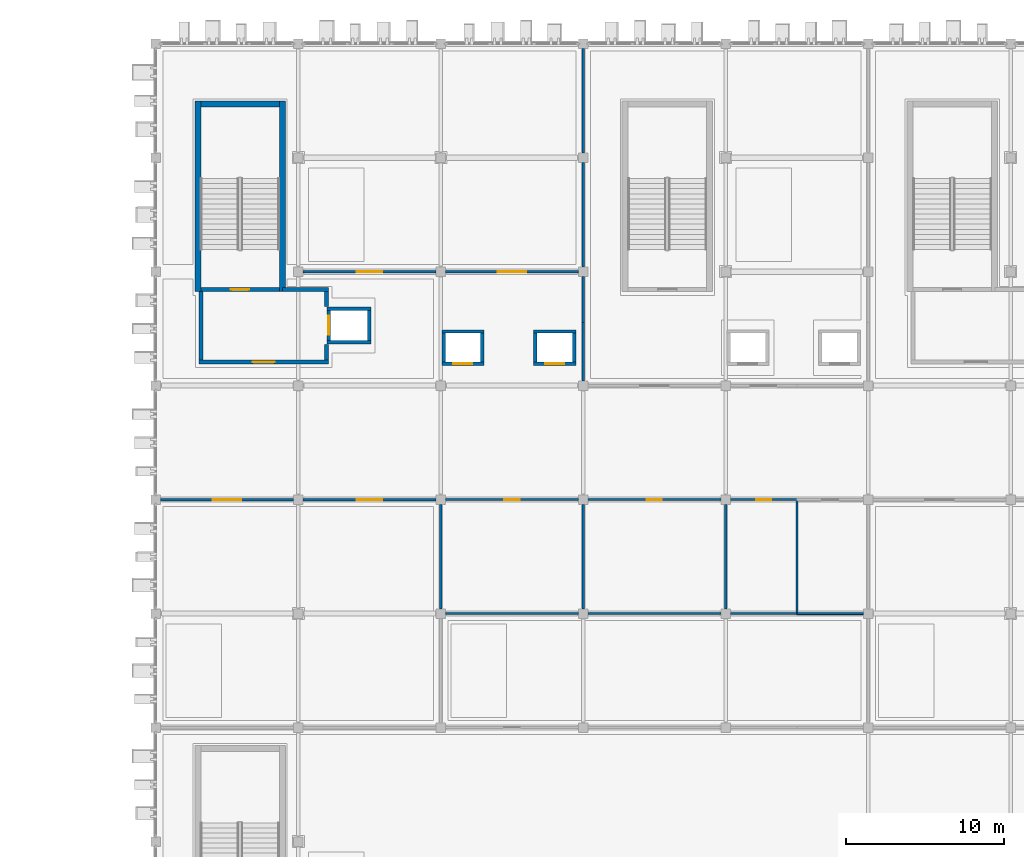
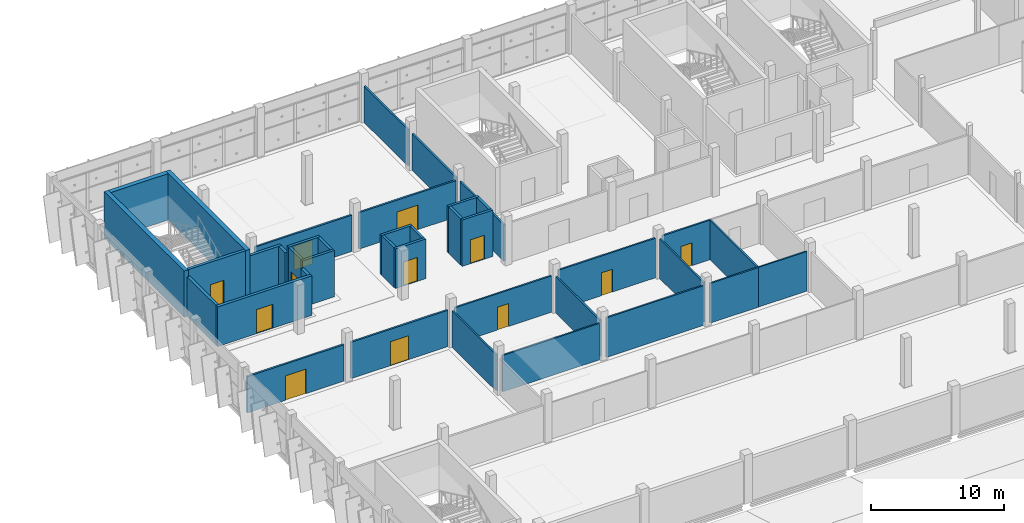
# One storey, part 104 of 124: 40 walls, 12 doors, 12 openings.
"""IFC4 building model written with IfcOpenShell, lengths in metres."""

from ifc_helpers import new_model, si_unit, direction, frame, frame_2d, origin, place, context, subcontext, project, spatial, rectangle, extrude, material, layer, layer_set, type_object, element, fill, save


model = new_model("IFC4")

# Units and contexts
model_context = context("Model", 3, precision=1e-05, world=origin(), true_north=direction((0.0, 1.0)))
body_context = subcontext(model_context, "Body", "Model", "MODEL_VIEW")
ifc_project = project(units=[si_unit("LENGTHUNIT", "METRE"), si_unit("AREAUNIT", "SQUARE_METRE"), si_unit("VOLUMEUNIT", "CUBIC_METRE"), si_unit("PLANEANGLEUNIT", "RADIAN"), si_unit("MASSUNIT", "GRAM", prefix="KILO")], contexts=[model_context])

# Site, building, storey
site_placement = place(None, origin())
site = spatial("IfcSite", under=ifc_project, at=site_placement, CompositionType="ELEMENT")
building_placement = place(site_placement, origin())
building = spatial("IfcBuilding", under=site, at=building_placement, Name="Celestram Park Convention Centre", CompositionType="ELEMENT")
storey_placement = place(building_placement, frame((0.0, 0.0, 15.300048828125)))
storey = spatial("IfcBuildingStorey", under=building, at=storey_placement, Name="L03", CompositionType="ELEMENT", Elevation=15.300048828125)

# Wall, opening, door
ifc_material_1 = material(Name="Concrete Block Masonry C25/30", Category="masonry")
ifc_layer_1 = layer(ifc_material_1, 0.25)
ifc_layer_set_1 = layer_set([ifc_layer_1], Name="Concrete Block Masonry C25/30")
wall_type_1 = type_object("IfcWallType", Name="ARC-WL-COR250", PredefinedType="STANDARD", material=ifc_layer_set_1)
wall_1_placement = place(storey_placement, frame((38.840087890625, 150.074951171875, 0.0), z_axis=(0.0, 0.0, 1.0), x_axis=(1.0, 0.0, 0.0)))
wall_1 = element("IfcWall", 1, at=wall_1_placement, inside=storey, type_object=wall_type_1, Name="Core C1 stair entrance wall", PredefinedType="STANDARD", context=body_context, shape_type="SweptSolid", body=[
    extrude(rectangle(XDim=4.9599609375, YDim=0.25, at=frame_2d((2.47998046875, 0.0))), origin(), (0.0, 0.0, 1.0), 4.25),
])
opening_1_placement = place(wall_1_placement, frame((1.905029296875, 0.0, 0.0)))
opening_1 = element("IfcOpeningElement", 2, at=opening_1_placement, cuts=wall_1, Name="Opening D-ST1", PredefinedType="OPENING", context=body_context, shape_type="SweptSolid", body=[
    extrude(rectangle(XDim=1.14990234375, YDim=2.199951171875, at=frame_2d((0.574951171875, 1.10009765625))), frame((0.0, 0.135009765625, 0.0), z_axis=(0.0, -1.0, 0.0), x_axis=(1.0, 0.0, 0.0)), (0.0, 0.0, 1.0), 0.27001953125),
])
ifc_material_2 = material(Name="Fire-Rated Hollow Metal Steel ASTM A653", Category="steel")
door_type_1 = type_object("IfcDoorType", Name="ARC-DR-ST115", OperationType="NOTDEFINED", PredefinedType="DOOR", material=ifc_material_2)
door_1_placement = place(opening_1_placement, origin())
door_1 = element("IfcDoor", 3, at=door_1_placement, inside=storey, type_object=door_type_1, Name="Exit stair ST-01 fire door", OperationType="SINGLE_SWING_LEFT", OverallHeight=2.199951171875, OverallWidth=1.14990234375, PredefinedType="DOOR", context=body_context, shape_type="SweptSolid", body=[
    extrude(rectangle(XDim=1.14990234375, YDim=2.199951171875, at=frame_2d((0.574951171875, 1.10009765625))), frame((0.0, 0.02490234375, 0.0), z_axis=(0.0, -1.0, 0.0), x_axis=(1.0, 0.0, 0.0)), (0.0, 0.0, 1.0), 0.050048828125),
])
fill(opening_1, door_1)

# Wall
wall_2_placement = place(storey_placement, frame((38.840087890625, 149.93994140625, 0.0), z_axis=(0.0, 0.0, 1.0), x_axis=(0.0, -1.0, 0.0)))
element("IfcWall", 4, at=wall_2_placement, inside=storey, type_object=wall_type_1, Name="Firefighting Lift Lobby C1 W wall", PredefinedType="STANDARD", context=body_context, shape_type="SweptSolid", body=[
    extrude(rectangle(XDim=4.31494140625, YDim=0.25, at=frame_2d((2.157470703125, 0.0))), origin(), (0.0, 0.0, 1.0), 3.637939453125),
])

# Wall, opening, door
wall_3_placement = place(storey_placement, frame((38.715087890625, 145.5, 0.0), z_axis=(0.0, 0.0, 1.0), x_axis=(1.0, 0.0, 0.0)))
wall_3 = element("IfcWall", 5, at=wall_3_placement, inside=storey, type_object=wall_type_1, Name="Firefighting Lift Lobby C1 S wall", PredefinedType="STANDARD", context=body_context, shape_type="SweptSolid", body=[
    extrude(rectangle(XDim=8.18994140625, YDim=0.25, at=frame_2d((4.094970703125, 0.0))), origin(), (0.0, 0.0, 1.0), 3.637939453125),
])
opening_2_placement = place(wall_3_placement, frame((3.39501953125, 0.0, 0.0)))
opening_2 = element("IfcOpeningElement", 6, at=opening_2_placement, cuts=wall_3, Name="Opening D-LB1", PredefinedType="OPENING", context=body_context, shape_type="SweptSolid", body=[
    extrude(rectangle(XDim=1.39990234375, YDim=2.199951171875, at=frame_2d((0.699951171875, 1.10009765625))), frame((0.0, 0.135009765625, 0.0), z_axis=(0.0, -1.0, 0.0), x_axis=(1.0, 0.0, 0.0)), (0.0, 0.0, 1.0), 0.27001953125),
])
ifc_material_3 = material(Name="Fire-Rated Glazed Steel Frame", Category="steel")
door_type_2 = type_object("IfcDoorType", Name="ARC-DR-LB140", OperationType="NOTDEFINED", PredefinedType="DOOR", material=ifc_material_3)
door_2_placement = place(opening_2_placement, origin())
door_2 = element("IfcDoor", 7, at=door_2_placement, inside=storey, type_object=door_type_2, Name="Firefighting Lift Lobby C1 fire door", OperationType="SINGLE_SWING_RIGHT", OverallHeight=2.199951171875, OverallWidth=1.39990234375, PredefinedType="DOOR", context=body_context, shape_type="SweptSolid", body=[
    extrude(rectangle(XDim=1.39990234375, YDim=2.199951171875, at=frame_2d((0.699951171875, 1.10009765625))), frame((0.0, 0.02490234375, 0.0), z_axis=(0.0, -1.0, 0.0), x_axis=(1.0, 0.0, 0.0)), (0.0, 0.0, 1.0), 0.050048828125),
])
fill(opening_2, door_2)

# Walls
wall_4_placement = place(storey_placement, frame((46.780029296875, 145.625, 0.0), z_axis=(0.0, 0.0, 1.0), x_axis=(0.0, 1.0, 0.0)))
element("IfcWall", 8, at=wall_4_placement, inside=storey, type_object=wall_type_1, Name="Firefighting Lift Lobby C1 ES wall", PredefinedType="STANDARD", context=body_context, shape_type="SweptSolid", body=[
    extrude(rectangle(XDim=0.97509765625, YDim=0.25, at=frame_2d((0.487548828125, 0.0))), origin(), (0.0, 0.0, 1.0), 3.637939453125),
])
wall_5_placement = place(storey_placement, frame((46.780029296875, 149.0, 0.0), z_axis=(0.0, 0.0, 1.0), x_axis=(0.0, 1.0, 0.0)))
element("IfcWall", 9, at=wall_5_placement, inside=storey, type_object=wall_type_1, Name="Firefighting Lift Lobby C1 EN wall", PredefinedType="STANDARD", context=body_context, shape_type="SweptSolid", body=[
    extrude(rectangle(XDim=0.949951171875, YDim=0.25, at=frame_2d((0.47509765625, 0.0))), origin(), (0.0, 0.0, 1.0), 3.637939453125),
])
wall_6_placement = place(storey_placement, frame((44.0, 150.074951171875, 0.0), z_axis=(0.0, 0.0, 1.0), x_axis=(1.0, 0.0, 0.0)))
element("IfcWall", 10, at=wall_6_placement, inside=storey, type_object=wall_type_1, Name="Firefighting Lift Lobby C1 N wall", PredefinedType="STANDARD", context=body_context, shape_type="SweptSolid", body=[
    extrude(rectangle(XDim=2.905029296875, YDim=0.25, at=frame_2d((1.45263671875, 0.0))), origin(), (0.0, 0.0, 1.0), 3.637939453125),
])
ifc_material_4 = material(Name="Standard Gypsum & Steel Stud 120 mm", Category="steel")
ifc_layer_2 = layer(ifc_material_4, 0.1201171875)
ifc_layer_set_2 = layer_set([ifc_layer_2], Name="Standard Gypsum & Steel Stud 120 mm")
wall_type_2 = type_object("IfcWallType", Name="ARC-WL-PRT120", PredefinedType="PARTITIONING", material=ifc_layer_set_2)
wall_7_placement = place(storey_placement, frame((76.5, 129.60009765625, 0.0), z_axis=(0.0, 0.0, 1.0), x_axis=(1.0, 0.0, 0.0)))
element("IfcWall", 11, at=wall_7_placement, inside=storey, type_object=wall_type_2, Name="Interior partition WL-L03-IN0895", PredefinedType="PARTITIONING", context=body_context, shape_type="SweptSolid", body=[
    extrude(rectangle(XDim=4.201904296875, YDim=0.1201171875, at=frame_2d((2.10107421875, 0.0))), origin(), (0.0, 0.0, 1.0), 3.637939453125),
])
ifc_material_5 = material(Name="Moisture-Resistant Gypsum Partition 140 mm", Category="gypsum")
ifc_layer_3 = layer(ifc_material_5, 0.139892578125)
ifc_layer_set_3 = layer_set([ifc_layer_3], Name="Moisture-Resistant Gypsum Partition 140 mm")
wall_type_3 = type_object("IfcWallType", Name="ARC-WL-PRT140", PredefinedType="PARTITIONING", material=ifc_layer_set_3)
wall_8_placement = place(storey_placement, frame((54.298095703125, 129.60009765625, 0.0), z_axis=(0.0, 0.0, 1.0), x_axis=(1.0, 0.0, 0.0)))
element("IfcWall", 12, at=wall_8_placement, inside=storey, type_object=wall_type_3, Name="Interior partition WL-L03-IN0892", PredefinedType="PARTITIONING", context=body_context, shape_type="SweptSolid", body=[
    extrude(rectangle(XDim=8.40380859375, YDim=0.139892578125, at=frame_2d((4.201904296875, 0.0))), origin(), (0.0, 0.0, 1.0), 3.3359375),
])
wall_9_placement = place(storey_placement, frame((63.298095703125, 129.60009765625, 0.0), z_axis=(0.0, 0.0, 1.0), x_axis=(1.0, 0.0, 0.0)))
element("IfcWall", 13, at=wall_9_placement, inside=storey, type_object=wall_type_3, Name="Interior partition WL-L03-IN0893", PredefinedType="PARTITIONING", context=body_context, shape_type="SweptSolid", body=[
    extrude(rectangle(XDim=8.40380859375, YDim=0.139892578125, at=frame_2d((4.201904296875, 0.0))), origin(), (0.0, 0.0, 1.0), 3.637939453125),
])
wall_10_placement = place(storey_placement, frame((72.298095703125, 129.60009765625, 0.0), z_axis=(0.0, 0.0, 1.0), x_axis=(1.0, 0.0, 0.0)))
element("IfcWall", 14, at=wall_10_placement, inside=storey, type_object=wall_type_3, Name="Interior partition WL-L03-IN0894", PredefinedType="PARTITIONING", context=body_context, shape_type="SweptSolid", body=[
    extrude(rectangle(XDim=4.201904296875, YDim=0.139892578125, at=frame_2d((2.10107421875, 0.0))), origin(), (0.0, 0.0, 1.0), 3.637939453125),
])

# Wall, opening, door
wall_11_placement = place(storey_placement, frame((54.298095703125, 136.800048828125, 0.0), z_axis=(0.0, 0.0, 1.0), x_axis=(1.0, 0.0, 0.0)))
wall_11 = element("IfcWall", 15, at=wall_11_placement, inside=storey, type_object=wall_type_3, Name="Interior partition WL-L03-IN0898", PredefinedType="PARTITIONING", context=body_context, shape_type="SweptSolid", body=[
    extrude(rectangle(XDim=8.40380859375, YDim=0.139892578125, at=frame_2d((4.201904296875, 0.0))), origin(), (0.0, 0.0, 1.0), 3.3359375),
])
opening_3_placement = place(wall_11_placement, frame((3.72705078125, 0.0, 0.0)))
opening_3 = element("IfcOpeningElement", 16, at=opening_3_placement, cuts=wall_11, Name="Opening D-08", PredefinedType="OPENING", context=body_context, shape_type="SweptSolid", body=[
    extrude(rectangle(XDim=0.949951171875, YDim=2.10009765625, at=frame_2d((0.47509765625, 1.050048828125))), frame((0.0, 0.079833984375, 0.0), z_axis=(0.0, -1.0, 0.0), x_axis=(1.0, 0.0, 0.0)), (0.0, 0.0, 1.0), 0.159912109375),
])
ifc_material_6 = material(Name="Laminate Moisture-Resistant Restroom Door", Category="wood")
door_type_3 = type_object("IfcDoorType", Name="ARC-DR-WC095", OperationType="NOTDEFINED", PredefinedType="DOOR", material=ifc_material_6)
door_3_placement = place(opening_3_placement, origin())
door_3 = element("IfcDoor", 17, at=door_3_placement, inside=storey, type_object=door_type_3, Name="Men Restroom L03 entrance door", OperationType="SINGLE_SWING_LEFT", OverallHeight=2.10009765625, OverallWidth=0.949951171875, PredefinedType="DOOR", context=body_context, shape_type="SweptSolid", body=[
    extrude(rectangle(XDim=0.949951171875, YDim=2.10009765625, at=frame_2d((0.47509765625, 1.050048828125))), frame((0.0, 0.02490234375, 0.0), z_axis=(0.0, -1.0, 0.0), x_axis=(1.0, 0.0, 0.0)), (0.0, 0.0, 1.0), 0.050048828125),
])
fill(opening_3, door_3)

wall_12_placement = place(storey_placement, frame((63.298095703125, 136.800048828125, 0.0), z_axis=(0.0, 0.0, 1.0), x_axis=(1.0, 0.0, 0.0)))
wall_12 = element("IfcWall", 18, at=wall_12_placement, inside=storey, type_object=wall_type_3, Name="Interior partition WL-L03-IN0899", PredefinedType="PARTITIONING", context=body_context, shape_type="SweptSolid", body=[
    extrude(rectangle(XDim=8.40380859375, YDim=0.139892578125, at=frame_2d((4.201904296875, 0.0))), origin(), (0.0, 0.0, 1.0), 3.637939453125),
])
opening_4_placement = place(wall_12_placement, frame((3.72705078125, 0.0, 0.0)))
opening_4 = element("IfcOpeningElement", 19, at=opening_4_placement, cuts=wall_12, Name="Opening D-08", PredefinedType="OPENING", context=body_context, shape_type="SweptSolid", body=[
    extrude(rectangle(XDim=0.949951171875, YDim=2.10009765625, at=frame_2d((0.47509765625, 1.050048828125))), frame((0.0, 0.079833984375, 0.0), z_axis=(0.0, -1.0, 0.0), x_axis=(1.0, 0.0, 0.0)), (0.0, 0.0, 1.0), 0.159912109375),
])
door_4_placement = place(opening_4_placement, origin())
door_4 = element("IfcDoor", 20, at=door_4_placement, inside=storey, type_object=door_type_3, Name="Women Restroom L03 entrance door", OperationType="SINGLE_SWING_RIGHT", OverallHeight=2.10009765625, OverallWidth=0.949951171875, PredefinedType="DOOR", context=body_context, shape_type="SweptSolid", body=[
    extrude(rectangle(XDim=0.949951171875, YDim=2.10009765625, at=frame_2d((0.47509765625, 1.050048828125))), frame((0.0, 0.02490234375, 0.0), z_axis=(0.0, -1.0, 0.0), x_axis=(1.0, 0.0, 0.0)), (0.0, 0.0, 1.0), 0.050048828125),
])
fill(opening_4, door_4)

wall_13_placement = place(storey_placement, frame((72.298095703125, 136.800048828125, 0.0), z_axis=(0.0, 0.0, 1.0), x_axis=(1.0, 0.0, 0.0)))
wall_13 = element("IfcWall", 21, at=wall_13_placement, inside=storey, type_object=wall_type_3, Name="Interior partition WL-L03-IN0900", PredefinedType="PARTITIONING", context=body_context, shape_type="SweptSolid", body=[
    extrude(rectangle(XDim=4.201904296875, YDim=0.139892578125, at=frame_2d((2.10107421875, 0.0))), origin(), (0.0, 0.0, 1.0), 3.637939453125),
])
opening_5_placement = place(wall_13_placement, frame((1.6259765625, 0.0, 0.0)))
opening_5 = element("IfcOpeningElement", 22, at=opening_5_placement, cuts=wall_13, Name="Opening D-08", PredefinedType="OPENING", context=body_context, shape_type="SweptSolid", body=[
    extrude(rectangle(XDim=0.949951171875, YDim=2.10009765625, at=frame_2d((0.47509765625, 1.050048828125))), frame((0.0, 0.079833984375, 0.0), z_axis=(0.0, -1.0, 0.0), x_axis=(1.0, 0.0, 0.0)), (0.0, 0.0, 1.0), 0.159912109375),
])
door_5_placement = place(opening_5_placement, origin())
door_5 = element("IfcDoor", 23, at=door_5_placement, inside=storey, type_object=door_type_3, Name="Accessible Restroom L03 entrance door", OperationType="SINGLE_SWING_LEFT", OverallHeight=2.10009765625, OverallWidth=0.949951171875, PredefinedType="DOOR", context=body_context, shape_type="SweptSolid", body=[
    extrude(rectangle(XDim=0.949951171875, YDim=2.10009765625, at=frame_2d((0.47509765625, 1.050048828125))), frame((0.0, 0.02490234375, 0.0), z_axis=(0.0, -1.0, 0.0), x_axis=(1.0, 0.0, 0.0)), (0.0, 0.0, 1.0), 0.050048828125),
])
fill(opening_5, door_5)

# Walls
for number, where, z_axis, x_axis, name in (
    (24, (54.0, 129.89794921875, 0.0), (0.0, 0.0, 1.0), (0.0, 1.0, 0.0), "Interior partition WL-L03-IN0916"),
    (25, (63.0, 129.89794921875, 0.0), (0.0, 0.0, 1.0), (0.0, 1.0, 0.0), "Interior partition WL-L03-IN0917"),
):
    element("IfcWall", number, at=place(storey_placement, frame(where, z_axis=z_axis, x_axis=x_axis)), inside=storey, type_object=wall_type_3, Name=name, PredefinedType="PARTITIONING", context=body_context, shape_type="SweptSolid", body=[
        extrude(rectangle(XDim=6.60400390625, YDim=0.139892578125, at=frame_2d((3.302001953125, 0.0))), origin(), (0.0, 0.0, 1.0), 3.3359375),
    ])
wall_14_placement = place(storey_placement, frame((72.0, 129.89794921875, 0.0), z_axis=(0.0, 0.0, 1.0), x_axis=(0.0, 1.0, 0.0)))
element("IfcWall", 26, at=wall_14_placement, inside=storey, type_object=wall_type_3, Name="Interior partition WL-L03-IN0922", PredefinedType="PARTITIONING", context=body_context, shape_type="SweptSolid", body=[
    extrude(rectangle(XDim=6.60400390625, YDim=0.139892578125, at=frame_2d((3.302001953125, 0.0))), origin(), (0.0, 0.0, 1.0), 3.637939453125),
])
wall_15_placement = place(storey_placement, frame((76.5, 129.60009765625, 0.0), z_axis=(0.0, 0.0, 1.0), x_axis=(0.0, 1.0, 0.0)))
element("IfcWall", 27, at=wall_15_placement, inside=storey, type_object=wall_type_3, Name="Interior partition WL-L03-IN0923", PredefinedType="PARTITIONING", context=body_context, shape_type="SweptSolid", body=[
    extrude(rectangle(XDim=7.199951171875, YDim=0.139892578125, at=frame_2d((3.60009765625, 0.0))), origin(), (0.0, 0.0, 1.0), 3.637939453125),
])

# Wall, opening, door
ifc_material_7 = material(Name="Acoustic Gypsum & Steel Stud 160 mm", Category="steel")
ifc_layer_4 = layer(ifc_material_7, 0.159912109375)
ifc_layer_set_4 = layer_set([ifc_layer_4], Name="Acoustic Gypsum & Steel Stud 160 mm")
wall_type_4 = type_object("IfcWallType", Name="ARC-WL-PRT160", PredefinedType="PARTITIONING", material=ifc_layer_set_4)
wall_16_placement = place(storey_placement, frame((36.298095703125, 136.800048828125, 0.0), z_axis=(0.0, 0.0, 1.0), x_axis=(1.0, 0.0, 0.0)))
wall_16 = element("IfcWall", 28, at=wall_16_placement, inside=storey, type_object=wall_type_4, Name="Interior partition WL-L03-IN0896", PredefinedType="PARTITIONING", context=body_context, shape_type="SweptSolid", body=[
    extrude(rectangle(XDim=8.40380859375, YDim=0.159912109375, at=frame_2d((4.201904296875, 0.0))), origin(), (0.0, 0.0, 1.0), 3.3359375),
])
opening_6_placement = place(wall_16_placement, frame((3.302001953125, 0.0, 0.0)))
opening_6 = element("IfcOpeningElement", 29, at=opening_6_placement, cuts=wall_16, Name="Opening D-04", PredefinedType="OPENING", context=body_context, shape_type="SweptSolid", body=[
    extrude(rectangle(XDim=1.800048828125, YDim=2.25, at=frame_2d((0.89990234375, 1.125))), frame((0.0, 0.08984375, 0.0), z_axis=(0.0, -1.0, 0.0), x_axis=(1.0, 0.0, 0.0)), (0.0, 0.0, 1.0), 0.179931640625),
])
ifc_material_8 = material(Name="Solid White Oak Acoustic Double Door", Category="wood")
door_type_4 = type_object("IfcDoorType", Name="ARC-DR-MTG180", OperationType="NOTDEFINED", PredefinedType="DOOR", material=ifc_material_8)
door_6_placement = place(opening_6_placement, origin())
door_6 = element("IfcDoor", 30, at=door_6_placement, inside=storey, type_object=door_type_4, Name="Caucus Chamber 301 entrance door", OperationType="DOUBLE_DOOR_SINGLE_SWING", OverallHeight=2.25, OverallWidth=1.800048828125, PredefinedType="DOOR", context=body_context, shape_type="SweptSolid", body=[
    extrude(rectangle(XDim=1.800048828125, YDim=2.25, at=frame_2d((0.89990234375, 1.125))), frame((0.0, 0.02490234375, 0.0), z_axis=(0.0, -1.0, 0.0), x_axis=(1.0, 0.0, 0.0)), (0.0, 0.0, 1.0), 0.050048828125),
])
fill(opening_6, door_6)

wall_17_placement = place(storey_placement, frame((45.298095703125, 136.800048828125, 0.0), z_axis=(0.0, 0.0, 1.0), x_axis=(1.0, 0.0, 0.0)))
wall_17 = element("IfcWall", 31, at=wall_17_placement, inside=storey, type_object=wall_type_4, Name="Interior partition WL-L03-IN0897", PredefinedType="PARTITIONING", context=body_context, shape_type="SweptSolid", body=[
    extrude(rectangle(XDim=8.40380859375, YDim=0.159912109375, at=frame_2d((4.201904296875, 0.0))), origin(), (0.0, 0.0, 1.0), 3.3359375),
])
opening_7_placement = place(wall_17_placement, frame((3.402099609375, 0.0, 0.0)))
opening_7 = element("IfcOpeningElement", 32, at=opening_7_placement, cuts=wall_17, Name="Opening D-05", PredefinedType="OPENING", context=body_context, shape_type="SweptSolid", body=[
    extrude(rectangle(XDim=1.60009765625, YDim=2.199951171875, at=frame_2d((0.800048828125, 1.10009765625))), frame((0.0, 0.08984375, 0.0), z_axis=(0.0, -1.0, 0.0), x_axis=(1.0, 0.0, 0.0)), (0.0, 0.0, 1.0), 0.179931640625),
])
ifc_material_9 = material(Name="Solid White Oak Double Door", Category="wood")
door_type_5 = type_object("IfcDoorType", Name="ARC-DR-MTG160", OperationType="NOTDEFINED", PredefinedType="DOOR", material=ifc_material_9)
door_7_placement = place(opening_7_placement, origin())
door_7 = element("IfcDoor", 33, at=door_7_placement, inside=storey, type_object=door_type_5, Name="Caucus Chamber 301 entrance door", OperationType="DOUBLE_DOOR_SINGLE_SWING", OverallHeight=2.199951171875, OverallWidth=1.60009765625, PredefinedType="DOOR", context=body_context, shape_type="SweptSolid", body=[
    extrude(rectangle(XDim=1.60009765625, YDim=2.199951171875, at=frame_2d((0.800048828125, 1.10009765625))), frame((0.0, 0.02490234375, 0.0), z_axis=(0.0, -1.0, 0.0), x_axis=(1.0, 0.0, 0.0)), (0.0, 0.0, 1.0), 0.050048828125),
])
fill(opening_7, door_7)

wall_18_placement = place(storey_placement, frame((45.298095703125, 151.199951171875, 0.0), z_axis=(0.0, 0.0, 1.0), x_axis=(1.0, 0.0, 0.0)))
wall_18 = element("IfcWall", 34, at=wall_18_placement, inside=storey, type_object=wall_type_4, Name="Interior partition WL-L03-IN0913", PredefinedType="PARTITIONING", context=body_context, shape_type="SweptSolid", body=[
    extrude(rectangle(XDim=8.40380859375, YDim=0.159912109375, at=frame_2d((4.201904296875, 0.0))), origin(), (0.0, 0.0, 1.0), 3.3359375),
])
opening_8_placement = place(wall_18_placement, frame((3.402099609375, 0.0, 0.0)))
opening_8 = element("IfcOpeningElement", 35, at=opening_8_placement, cuts=wall_18, Name="Opening D-05", PredefinedType="OPENING", context=body_context, shape_type="SweptSolid", body=[
    extrude(rectangle(XDim=1.60009765625, YDim=2.199951171875, at=frame_2d((0.800048828125, 1.10009765625))), frame((0.0, 0.08984375, 0.0), z_axis=(0.0, -1.0, 0.0), x_axis=(1.0, 0.0, 0.0)), (0.0, 0.0, 1.0), 0.179931640625),
])
door_8_placement = place(opening_8_placement, origin())
door_8 = element("IfcDoor", 36, at=door_8_placement, inside=storey, type_object=door_type_5, Name="Caucus Chamber 303 entrance door", OperationType="DOUBLE_DOOR_SINGLE_SWING", OverallHeight=2.199951171875, OverallWidth=1.60009765625, PredefinedType="DOOR", context=body_context, shape_type="SweptSolid", body=[
    extrude(rectangle(XDim=1.60009765625, YDim=2.199951171875, at=frame_2d((0.800048828125, 1.10009765625))), frame((0.0, 0.02490234375, 0.0), z_axis=(0.0, -1.0, 0.0), x_axis=(1.0, 0.0, 0.0)), (0.0, 0.0, 1.0), 0.050048828125),
])
fill(opening_8, door_8)

wall_19_placement = place(storey_placement, frame((54.298095703125, 151.199951171875, 0.0), z_axis=(0.0, 0.0, 1.0), x_axis=(1.0, 0.0, 0.0)))
wall_19 = element("IfcWall", 37, at=wall_19_placement, inside=storey, type_object=wall_type_4, Name="Interior partition WL-L03-IN0914", PredefinedType="PARTITIONING", context=body_context, shape_type="SweptSolid", body=[
    extrude(rectangle(XDim=8.40380859375, YDim=0.159912109375, at=frame_2d((4.201904296875, 0.0))), origin(), (0.0, 0.0, 1.0), 3.3359375),
])
opening_9_placement = place(wall_19_placement, frame((3.302001953125, 0.0, 0.0)))
opening_9 = element("IfcOpeningElement", 38, at=opening_9_placement, cuts=wall_19, Name="Opening D-04", PredefinedType="OPENING", context=body_context, shape_type="SweptSolid", body=[
    extrude(rectangle(XDim=1.800048828125, YDim=2.25, at=frame_2d((0.89990234375, 1.125))), frame((0.0, 0.08984375, 0.0), z_axis=(0.0, -1.0, 0.0), x_axis=(1.0, 0.0, 0.0)), (0.0, 0.0, 1.0), 0.179931640625),
])
door_9_placement = place(opening_9_placement, origin())
door_9 = element("IfcDoor", 39, at=door_9_placement, inside=storey, type_object=door_type_4, Name="Caucus Chamber 303 entrance door", OperationType="DOUBLE_DOOR_SINGLE_SWING", OverallHeight=2.25, OverallWidth=1.800048828125, PredefinedType="DOOR", context=body_context, shape_type="SweptSolid", body=[
    extrude(rectangle(XDim=1.800048828125, YDim=2.25, at=frame_2d((0.89990234375, 1.125))), frame((0.0, 0.02490234375, 0.0), z_axis=(0.0, -1.0, 0.0), x_axis=(1.0, 0.0, 0.0)), (0.0, 0.0, 1.0), 0.050048828125),
])
fill(opening_9, door_9)

# Walls
wall_20_placement = place(storey_placement, frame((63.0, 144.298095703125, 0.0), z_axis=(0.0, 0.0, 1.0), x_axis=(0.0, 1.0, 0.0)))
element("IfcWall", 40, at=wall_20_placement, inside=storey, type_object=wall_type_4, Name="Interior partition WL-L03-IN0918", PredefinedType="PARTITIONING", context=body_context, shape_type="SweptSolid", body=[
    extrude(rectangle(XDim=3.701904296875, YDim=0.159912109375, at=frame_2d((1.85107421875, 0.0))), origin(), (0.0, 0.0, 1.0), 3.3359375),
])
wall_21_placement = place(storey_placement, frame((63.0, 148.0, 0.0), z_axis=(0.0, 0.0, 1.0), x_axis=(0.0, 1.0, 0.0)))
element("IfcWall", 41, at=wall_21_placement, inside=storey, type_object=wall_type_4, Name="Interior partition WL-L03-IN0919", PredefinedType="PARTITIONING", context=body_context, shape_type="SweptSolid", body=[
    extrude(rectangle(XDim=2.902099609375, YDim=0.159912109375, at=frame_2d((1.451171875, 0.0))), origin(), (0.0, 0.0, 1.0), 3.3359375),
])
for number, where, z_axis, x_axis, name in (
    (42, (63.0, 151.498046875, 0.0), (0.0, 0.0, 1.0), (0.0, 1.0, 0.0), "Interior partition WL-L03-IN0920"),
    (43, (63.0, 158.697998046875, 0.0), (0.0, 0.0, 1.0), (0.0, 1.0, 0.0), "Interior partition WL-L03-IN0921"),
):
    element("IfcWall", number, at=place(storey_placement, frame(where, z_axis=z_axis, x_axis=x_axis)), inside=storey, type_object=wall_type_4, Name=name, PredefinedType="PARTITIONING", context=body_context, shape_type="SweptSolid", body=[
        extrude(rectangle(XDim=6.60400390625, YDim=0.159912109375, at=frame_2d((3.302001953125, 0.0))), origin(), (0.0, 0.0, 1.0), 3.3359375),
    ])
ifc_layer_5 = layer(ifc_material_1, 0.219970703125)
ifc_layer_set_5 = layer_set([ifc_layer_5], Name="Concrete Block Masonry C25/30")
wall_type_5 = type_object("IfcWallType", Name="ARC-WL-SHF220", PredefinedType="STANDARD", material=ifc_layer_set_5)
for number, where, z_axis, x_axis, name in (
    (44, (46.820068359375, 146.7548828125, 0.0), (0.0, 0.0, 1.0), (1.0, 0.0, 0.0), "Lift LF-01 shaft wall S"),
    (45, (49.580078125, 148.844970703125, 0.0), (0.0, 0.0, 1.0), (-1.0, 0.0, 0.0), "Lift LF-01 shaft wall N"),
):
    element("IfcWall", number, at=place(storey_placement, frame(where, z_axis=z_axis, x_axis=x_axis)), inside=storey, type_object=wall_type_5, Name=name, PredefinedType="STANDARD", context=body_context, shape_type="SweptSolid", body=[
        extrude(rectangle(XDim=2.760009765625, YDim=0.219970703125, at=frame_2d((1.3798828125, 0.0))), origin(), (0.0, 0.0, 1.0), 4.25),
    ])

# Wall, opening, door
wall_22_placement = place(storey_placement, frame((46.929931640625, 148.735107421875, 0.0), z_axis=(0.0, 0.0, 1.0), x_axis=(0.0, -1.0, 0.0)))
wall_22 = element("IfcWall", 46, at=wall_22_placement, inside=storey, type_object=wall_type_5, Name="Lift LF-01 shaft wall W", PredefinedType="STANDARD", context=body_context, shape_type="SweptSolid", body=[
    extrude(rectangle(XDim=1.8701171875, YDim=0.219970703125, at=frame_2d((0.93505859375, 0.0))), origin(), (0.0, 0.0, 1.0), 4.25),
])
opening_10_placement = place(wall_22_placement, frame((0.3349609375, 0.0, 0.0)))
opening_10 = element("IfcOpeningElement", 47, at=opening_10_placement, cuts=wall_22, Name="Opening LD-01", PredefinedType="OPENING", context=body_context, shape_type="SweptSolid", body=[
    extrude(rectangle(XDim=1.199951171875, YDim=2.199951171875, at=frame_2d((0.60009765625, 1.10009765625))), frame((0.0, 0.119873046875, 0.0), z_axis=(0.0, -1.0, 0.0), x_axis=(1.0, 0.0, 0.0)), (0.0, 0.0, 1.0), 0.239990234375),
])
ifc_material_10 = material(Name="Brushed Stainless Steel AISI 304", Category="steel")
door_type_6 = type_object("IfcDoorType", Name="ARC-DR-LFT120", OperationType="NOTDEFINED", PredefinedType="DOOR", material=ifc_material_10)
door_10_placement = place(opening_10_placement, origin())
door_10 = element("IfcDoor", 48, at=door_10_placement, inside=storey, type_object=door_type_6, Name="Lift LF-01 sliding landing door", OperationType="DOUBLE_DOOR_SLIDING", OverallHeight=2.199951171875, OverallWidth=1.199951171875, PredefinedType="DOOR", context=body_context, shape_type="SweptSolid", body=[
    extrude(rectangle(XDim=1.199951171875, YDim=2.199951171875, at=frame_2d((0.60009765625, 1.10009765625))), frame((0.0, 0.02490234375, 0.0), z_axis=(0.0, -1.0, 0.0), x_axis=(1.0, 0.0, 0.0)), (0.0, 0.0, 1.0), 0.050048828125),
])
fill(opening_10, door_10)

# Wall
wall_23_placement = place(storey_placement, frame((49.469970703125, 146.864990234375, 0.0), z_axis=(0.0, 0.0, 1.0), x_axis=(0.0, 1.0, 0.0)))
element("IfcWall", 49, at=wall_23_placement, inside=storey, type_object=wall_type_5, Name="Lift LF-01 shaft wall E", PredefinedType="STANDARD", context=body_context, shape_type="SweptSolid", body=[
    extrude(rectangle(XDim=1.8701171875, YDim=0.219970703125, at=frame_2d((0.93505859375, 0.0))), origin(), (0.0, 0.0, 1.0), 4.25),
])

# Wall, opening, door
wall_24_placement = place(storey_placement, frame((54.070068359375, 145.3798828125, 0.0), z_axis=(0.0, 0.0, 1.0), x_axis=(1.0, 0.0, 0.0)))
wall_24 = element("IfcWall", 50, at=wall_24_placement, inside=storey, type_object=wall_type_5, Name="Lift LP-01 shaft wall S", PredefinedType="STANDARD", context=body_context, shape_type="SweptSolid", body=[
    extrude(rectangle(XDim=2.659912109375, YDim=0.219970703125, at=frame_2d((1.330078125, 0.0))), origin(), (0.0, 0.0, 1.0), 3.637939453125),
])
opening_11_placement = place(wall_24_placement, frame((0.72998046875, 0.0, 0.0)))
opening_11 = element("IfcOpeningElement", 51, at=opening_11_placement, cuts=wall_24, Name="Opening LD-01", PredefinedType="OPENING", context=body_context, shape_type="SweptSolid", body=[
    extrude(rectangle(XDim=1.199951171875, YDim=2.199951171875, at=frame_2d((0.60009765625, 1.10009765625))), frame((0.0, 0.119873046875, 0.0), z_axis=(0.0, -1.0, 0.0), x_axis=(1.0, 0.0, 0.0)), (0.0, 0.0, 1.0), 0.239990234375),
])
door_11_placement = place(opening_11_placement, origin())
door_11 = element("IfcDoor", 52, at=door_11_placement, inside=storey, type_object=door_type_6, Name="Lift LP-01 sliding landing door", OperationType="DOUBLE_DOOR_SLIDING", OverallHeight=2.199951171875, OverallWidth=1.199951171875, PredefinedType="DOOR", context=body_context, shape_type="SweptSolid", body=[
    extrude(rectangle(XDim=1.199951171875, YDim=2.199951171875, at=frame_2d((0.60009765625, 1.10009765625))), frame((0.0, 0.02490234375, 0.0), z_axis=(0.0, -1.0, 0.0), x_axis=(1.0, 0.0, 0.0)), (0.0, 0.0, 1.0), 0.050048828125),
])
fill(opening_11, door_11)

# Walls
wall_25_placement = place(storey_placement, frame((56.72998046875, 147.419921875, 0.0), z_axis=(0.0, 0.0, 1.0), x_axis=(-1.0, 0.0, 0.0)))
element("IfcWall", 53, at=wall_25_placement, inside=storey, type_object=wall_type_5, Name="Lift LP-01 shaft wall N", PredefinedType="STANDARD", context=body_context, shape_type="SweptSolid", body=[
    extrude(rectangle(XDim=2.659912109375, YDim=0.219970703125, at=frame_2d((1.330078125, 0.0))), origin(), (0.0, 0.0, 1.0), 3.637939453125),
])
for number, where, z_axis, x_axis, name in (
    (54, (54.179931640625, 147.31005859375, 0.0), (0.0, 0.0, 1.0), (0.0, -1.0, 0.0), "Lift LP-01 shaft wall W"),
    (55, (56.6201171875, 145.489990234375, 0.0), (0.0, 0.0, 1.0), (0.0, 1.0, 0.0), "Lift LP-01 shaft wall E"),
):
    element("IfcWall", number, at=place(storey_placement, frame(where, z_axis=z_axis, x_axis=x_axis)), inside=storey, type_object=wall_type_5, Name=name, PredefinedType="STANDARD", context=body_context, shape_type="SweptSolid", body=[
        extrude(rectangle(XDim=1.820068359375, YDim=0.219970703125, at=frame_2d((0.91015625, 0.0))), origin(), (0.0, 0.0, 1.0), 3.637939453125),
    ])

# Wall, opening, door
wall_26_placement = place(storey_placement, frame((59.8701171875, 145.3798828125, 0.0), z_axis=(0.0, 0.0, 1.0), x_axis=(1.0, 0.0, 0.0)))
wall_26 = element("IfcWall", 56, at=wall_26_placement, inside=storey, type_object=wall_type_5, Name="Lift LP-02 shaft wall S", PredefinedType="STANDARD", context=body_context, shape_type="SweptSolid", body=[
    extrude(rectangle(XDim=2.659912109375, YDim=0.219970703125, at=frame_2d((1.330078125, 0.0))), origin(), (0.0, 0.0, 1.0), 4.25),
])
opening_12_placement = place(wall_26_placement, frame((0.72998046875, 0.0, 0.0)))
opening_12 = element("IfcOpeningElement", 57, at=opening_12_placement, cuts=wall_26, Name="Opening LD-01", PredefinedType="OPENING", context=body_context, shape_type="SweptSolid", body=[
    extrude(rectangle(XDim=1.199951171875, YDim=2.199951171875, at=frame_2d((0.60009765625, 1.10009765625))), frame((0.0, 0.119873046875, 0.0), z_axis=(0.0, -1.0, 0.0), x_axis=(1.0, 0.0, 0.0)), (0.0, 0.0, 1.0), 0.239990234375),
])
door_12_placement = place(opening_12_placement, origin())
door_12 = element("IfcDoor", 58, at=door_12_placement, inside=storey, type_object=door_type_6, Name="Lift LP-02 sliding landing door", OperationType="DOUBLE_DOOR_SLIDING", OverallHeight=2.199951171875, OverallWidth=1.199951171875, PredefinedType="DOOR", context=body_context, shape_type="SweptSolid", body=[
    extrude(rectangle(XDim=1.199951171875, YDim=2.199951171875, at=frame_2d((0.60009765625, 1.10009765625))), frame((0.0, 0.02490234375, 0.0), z_axis=(0.0, -1.0, 0.0), x_axis=(1.0, 0.0, 0.0)), (0.0, 0.0, 1.0), 0.050048828125),
])
fill(opening_12, door_12)

# Walls
wall_27_placement = place(storey_placement, frame((62.530029296875, 147.419921875, 0.0), z_axis=(0.0, 0.0, 1.0), x_axis=(-1.0, 0.0, 0.0)))
element("IfcWall", 59, at=wall_27_placement, inside=storey, type_object=wall_type_5, Name="Lift LP-02 shaft wall N", PredefinedType="STANDARD", context=body_context, shape_type="SweptSolid", body=[
    extrude(rectangle(XDim=2.659912109375, YDim=0.219970703125, at=frame_2d((1.330078125, 0.0))), origin(), (0.0, 0.0, 1.0), 4.25),
])
for number, where, z_axis, x_axis, name in (
    (60, (59.97998046875, 147.31005859375, 0.0), (0.0, 0.0, 1.0), (0.0, -1.0, 0.0), "Lift LP-02 shaft wall W"),
    (61, (62.419921875, 145.489990234375, 0.0), (0.0, 0.0, 1.0), (0.0, 1.0, 0.0), "Lift LP-02 shaft wall E"),
):
    element("IfcWall", number, at=place(storey_placement, frame(where, z_axis=z_axis, x_axis=x_axis)), inside=storey, type_object=wall_type_5, Name=name, PredefinedType="STANDARD", context=body_context, shape_type="SweptSolid", body=[
        extrude(rectangle(XDim=1.820068359375, YDim=0.219970703125, at=frame_2d((0.91015625, 0.0))), origin(), (0.0, 0.0, 1.0), 4.25),
    ])
ifc_material_11 = material(Name="Concrete C40/50", Category="concrete")
ifc_layer_6 = layer(ifc_material_11, 0.3798828125)
ifc_layer_set_6 = layer_set([ifc_layer_6], Name="Concrete C40/50")
wall_type_6 = type_object("IfcWallType", Name="STR-WL-SHR380", PredefinedType="SHEAR", material=ifc_layer_set_6)
for number, where, z_axis, x_axis, name in (
    (62, (38.64990234375, 149.949951171875, 0.0), (0.0, 0.0, 1.0), (0.0, 1.0, 0.0), "Core C1 shear wall L"),
    (63, (43.989990234375, 161.97998046875, 0.0), (0.0, 0.0, 1.0), (0.0, -1.0, 0.0), "Core C1 shear wall R"),
):
    element("IfcWall", number, at=place(storey_placement, frame(where, z_axis=z_axis, x_axis=x_axis)), inside=storey, type_object=wall_type_6, Name=name, PredefinedType="SHEAR", context=body_context, shape_type="SweptSolid", body=[
        extrude(rectangle(XDim=12.030029296875, YDim=0.3798828125, at=frame_2d((6.01513671875, 0.0))), origin(), (0.0, 0.0, 1.0), 4.25),
    ])
wall_28_placement = place(storey_placement, frame((38.840087890625, 161.7900390625, 0.0), z_axis=(0.0, 0.0, 1.0), x_axis=(1.0, 0.0, 0.0)))
element("IfcWall", 64, at=wall_28_placement, inside=storey, type_object=wall_type_6, Name="Core C1 shear wall F", PredefinedType="SHEAR", context=body_context, shape_type="SweptSolid", body=[
    extrude(rectangle(XDim=4.9599609375, YDim=0.3798828125, at=frame_2d((2.47998046875, 0.0))), origin(), (0.0, 0.0, 1.0), 4.25),
])

save(model, "model.ifc")
